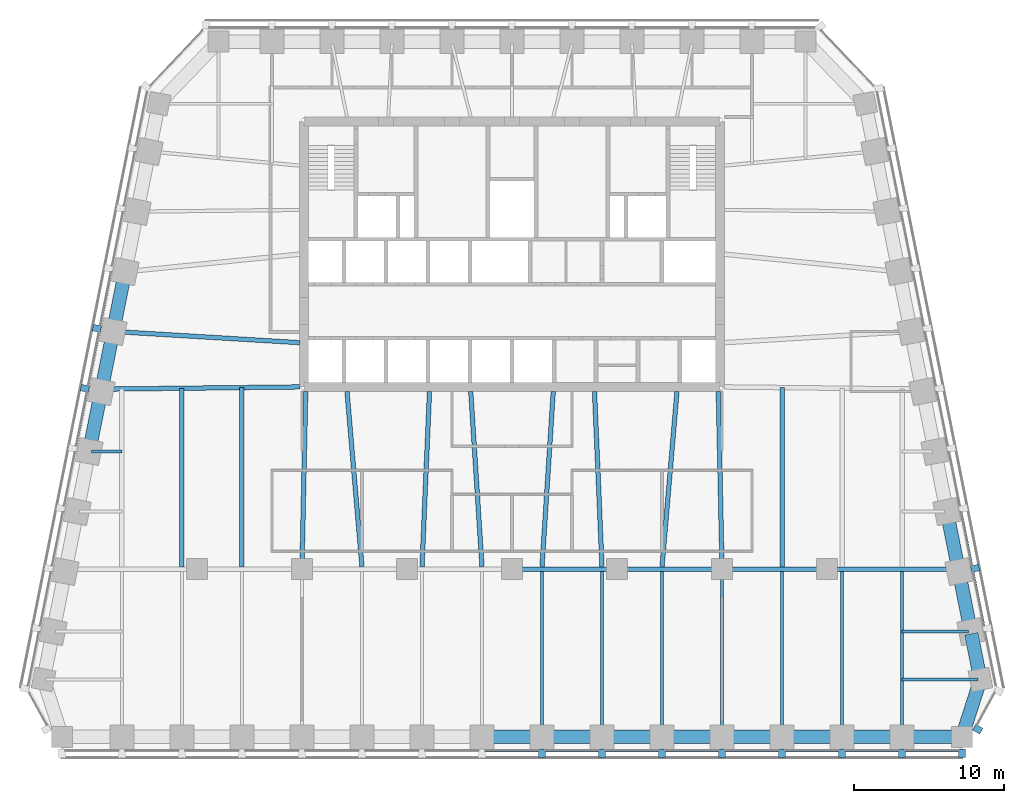
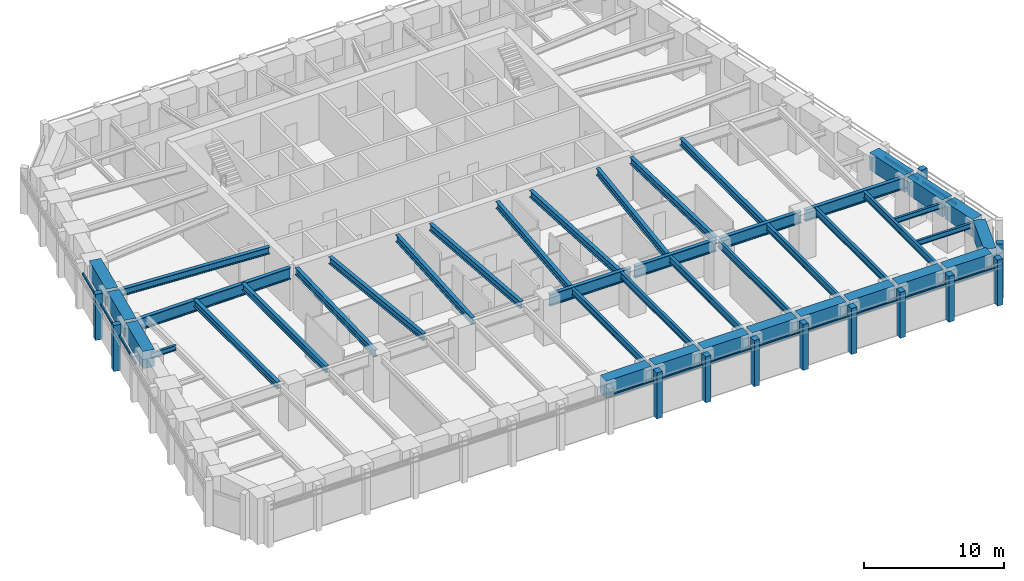
# One storey, part 2 of 10: 42 beams, 25 members, 4 elements without a shape of their own.
"""IFC4 building model written with IfcOpenShell, lengths in metres."""

from ifc_helpers import new_model, si_unit, direction, frame, origin, origin_2d, place, context, subcontext, project, spatial, rectangle, i_section, extrude, material, material_profile, profile_set, type_object, element, aggregate, save


model = new_model("IFC4")

# Units and contexts
model_context = context("Model", 3, precision=1e-05, world=origin(), true_north=direction((0.0, 1.0)))
body_context = subcontext(model_context, "Body", "Model", "MODEL_VIEW")
ifc_project = project(units=[si_unit("LENGTHUNIT", "METRE"), si_unit("AREAUNIT", "SQUARE_METRE"), si_unit("VOLUMEUNIT", "CUBIC_METRE"), si_unit("PLANEANGLEUNIT", "RADIAN"), si_unit("MASSUNIT", "GRAM", prefix="KILO")], contexts=[model_context])

# Site, building, storey
site_placement = place(None, origin())
site = spatial("IfcSite", under=ifc_project, at=site_placement, CompositionType="ELEMENT")
building_placement = place(site_placement, origin())
building = spatial("IfcBuilding", under=site, at=building_placement, Name="Isbrekke Arena Tower", CompositionType="ELEMENT")
storey_placement = place(building_placement, frame((0.0, 0.0, 182.0)))
storey = spatial("IfcBuildingStorey", under=building, at=storey_placement, Name="L41", CompositionType="ELEMENT", Elevation=182.0)

# Beams
ifc_material_1 = material(Name="Steel S355", Category="steel")
ifc_material_profile_1 = material_profile(ifc_material_1, i_section(OverallWidth=0.219970703125, OverallDepth=0.60009765625, WebThickness=0.011962890625, FlangeThickness=0.01904296875, FilletRadius=0.02392578125, at=origin_2d()), Name="IPE 600")
ifc_profile_set_1 = profile_set([ifc_material_profile_1], Name="Steel S355")
beam_type_1 = type_object("IfcBeamType", Name="B1 IPE 600", PredefinedType="BEAM", material=ifc_profile_set_1)
for number, where, z_axis, x_axis, name in (
    (1, (2.0, -17.02490234375, 3.550048828125), (0.0, 1.0, 0.0), (-1.0, 0.0, 0.0), "B1 beam S-S09 L41"),
    (2, (6.0, -17.02490234375, 3.550048828125), (0.0, 1.0, 0.0), (-1.0, 0.0, 0.0), "B1 beam S-S10 L41"),
    (3, (10.0, -17.02490234375, 3.550048828125), (0.0, 1.0, 0.0), (-1.0, 0.0, 0.0), "B1 beam S-S11 L41"),
):
    element("IfcBeam", number, at=place(storey_placement, frame(where, z_axis=z_axis, x_axis=x_axis)), inside=storey, type_object=beam_type_1, Name=name, PredefinedType="BEAM", context=body_context, shape_type="SweptSolid", body=[
        extrude(i_section(OverallWidth=0.219970703125, OverallDepth=0.60009765625, WebThickness=0.011962890625, FlangeThickness=0.01904296875, FilletRadius=0.02392578125, at=origin_2d()), origin(), (0.0, 0.0, 1.0), 10.8740234375),
    ])
beam_1_placement = place(storey_placement, frame((14.0, -17.02490234375, 3.550048828125), z_axis=(0.0, 1.0, 0.0), x_axis=(-1.0, 0.0, 0.0)))
element("IfcBeam", 4, at=beam_1_placement, inside=storey, type_object=beam_type_1, Name="B1 beam S-S12 L41", PredefinedType="BEAM", context=body_context, shape_type="SweptSolid", body=[
    extrude(i_section(OverallWidth=0.219970703125, OverallDepth=0.60009765625, WebThickness=0.011962890625, FlangeThickness=0.01904296875, FilletRadius=0.02392578125, at=origin_2d()), origin(), (0.0, 0.0, 1.0), 10.875),
])
for number, where, z_axis, x_axis, name in (
    (5, (18.0, -17.02490234375, 3.550048828125), (0.0, 1.0, 0.0), (-1.0, 0.0, 0.0), "B1 beam S-S13 L41"),
    (6, (22.0, -17.02490234375, 3.550048828125), (0.0, 1.0, 0.0), (-1.0, 0.0, 0.0), "B1 beam S-S14 L41"),
    (7, (26.0, -17.02490234375, 3.550048828125), (0.0, 1.0, 0.0), (-1.0, 0.0, 0.0), "B1 beam S-S15 L41"),
):
    element("IfcBeam", number, at=place(storey_placement, frame(where, z_axis=z_axis, x_axis=x_axis)), inside=storey, type_object=beam_type_1, Name=name, PredefinedType="BEAM", context=body_context, shape_type="SweptSolid", body=[
        extrude(i_section(OverallWidth=0.219970703125, OverallDepth=0.60009765625, WebThickness=0.011962890625, FlangeThickness=0.01904296875, FilletRadius=0.02392578125, at=origin_2d()), origin(), (0.0, 0.0, 1.0), 10.8740234375),
    ])
ifc_material_2 = material(Name="Steel S355", Category="steel")
ifc_material_profile_2 = material_profile(ifc_material_2, i_section(OverallWidth=0.18994140625, OverallDepth=0.449951171875, WebThickness=0.009521484375, FlangeThickness=0.0146484375, FilletRadius=0.02099609375, at=origin_2d()), Name="IPE 450")
ifc_profile_set_2 = profile_set([ifc_material_profile_2], Name="Steel S355")
beam_type_2 = type_object("IfcBeamType", Name="B2 IPE 450", PredefinedType="BEAM", material=ifc_profile_set_2)
beam_2_placement = place(storey_placement, frame((31.079345703125, -13.352783203125, 3.625), z_axis=(-1.0, 0.0, 0.0), x_axis=(0.0, -1.0, 0.0)))
element("IfcBeam", 8, at=beam_2_placement, inside=storey, type_object=beam_type_2, Name="B2 beam E-E01 L41", PredefinedType="BEAM", context=body_context, shape_type="SweptSolid", body=[
    extrude(i_section(OverallWidth=0.18994140625, OverallDepth=0.449951171875, WebThickness=0.009521484375, FlangeThickness=0.0146484375, FilletRadius=0.02099609375, at=origin_2d()), origin(), (0.0, 0.0, 1.0), 5.079345703125),
])
beam_3_placement = place(storey_placement, frame((30.44091796875, -10.161865234375, 3.625), z_axis=(-1.0, 0.0, 0.0), x_axis=(0.0, -1.0, 0.0)))
element("IfcBeam", 9, at=beam_3_placement, inside=storey, type_object=beam_type_2, Name="B2 beam E-E02 L41", PredefinedType="BEAM", context=body_context, shape_type="SweptSolid", body=[
    extrude(i_section(OverallWidth=0.18994140625, OverallDepth=0.449951171875, WebThickness=0.009521484375, FlangeThickness=0.0146484375, FilletRadius=0.02099609375, at=origin_2d()), origin(), (0.0, 0.0, 1.0), 4.44091796875),
])
beam_4_placement = place(storey_placement, frame((-28.041015625, 1.838134765625, 3.625), z_axis=(1.0, 0.0, 0.0), x_axis=(0.0, 1.0, 0.0)))
element("IfcBeam", 10, at=beam_4_placement, inside=storey, type_object=beam_type_2, Name="B2 beam E-W07 L41", PredefinedType="BEAM", context=body_context, shape_type="SweptSolid", body=[
    extrude(i_section(OverallWidth=0.18994140625, OverallDepth=0.449951171875, WebThickness=0.009521484375, FlangeThickness=0.0146484375, FilletRadius=0.02099609375, at=origin_2d()), origin(), (0.0, 0.0, 1.0), 2.041015625),
])
ifc_material_3 = material(Name="Steel S355", Category="steel")
ifc_material_profile_3 = material_profile(ifc_material_3, i_section(OverallWidth=0.300048828125, OverallDepth=0.60009765625, WebThickness=0.015380859375, FlangeThickness=0.030029296875, FilletRadius=0.027099609375, at=origin_2d()), Name="HEB 600")
ifc_profile_set_3 = profile_set([ifc_material_profile_3], Name="Steel S355")
beam_type_3 = type_object("IfcBeamType", Name="B7 HEB 600", PredefinedType="BEAM", material=ifc_profile_set_3)
beam_5_placement = place(storey_placement, frame((-22.0, -5.84912109375, 3.550048828125), z_axis=(0.0, 1.0, 0.0), x_axis=(-1.0, 0.0, 0.0)))
element("IfcBeam", 11, at=beam_5_placement, inside=storey, type_object=beam_type_3, Name="B7 beam C-M02 L41", PredefinedType="BEAM", context=body_context, shape_type="SweptSolid", body=[
    extrude(i_section(OverallWidth=0.300048828125, OverallDepth=0.60009765625, WebThickness=0.015380859375, FlangeThickness=0.030029296875, FilletRadius=0.027099609375, at=origin_2d()), origin(), (0.0, 0.0, 1.0), 11.91015625),
])
beam_6_placement = place(storey_placement, frame((-18.0, -5.84912109375, 3.550048828125), z_axis=(0.0, 1.0, 0.0), x_axis=(-1.0, 0.0, 0.0)))
element("IfcBeam", 12, at=beam_6_placement, inside=storey, type_object=beam_type_3, Name="B7 beam C-M03 L41", PredefinedType="BEAM", context=body_context, shape_type="SweptSolid", body=[
    extrude(i_section(OverallWidth=0.300048828125, OverallDepth=0.60009765625, WebThickness=0.015380859375, FlangeThickness=0.030029296875, FilletRadius=0.027099609375, at=origin_2d()), origin(), (0.0, 0.0, 1.0), 11.95556640625),
])
beam_7_placement = place(storey_placement, frame((-14.0, -5.8466796875, 3.550048828125), z_axis=(0.021368528218, 0.999771666933, 0.0), x_axis=(-0.999771666933, 0.021368528218, 0.0)))
element("IfcBeam", 13, at=beam_7_placement, inside=storey, type_object=beam_type_3, Name="B7 beam C-M04 L41", PredefinedType="BEAM", context=body_context, shape_type="SweptSolid", body=[
    extrude(i_section(OverallWidth=0.300048828125, OverallDepth=0.60009765625, WebThickness=0.015380859375, FlangeThickness=0.030029296875, FilletRadius=0.027099609375, at=origin_2d()), origin(), (0.0, 0.0, 1.0), 11.699462890625),
])
beam_8_placement = place(storey_placement, frame((-10.0009765625, -5.836181640625, 3.550048828125), z_axis=(-0.085176202372, 0.996365903948, 0.0), x_axis=(-0.996365903948, -0.085176202372, 0.0)))
element("IfcBeam", 14, at=beam_8_placement, inside=storey, type_object=beam_type_3, Name="B7 beam C-M05 L41", PredefinedType="BEAM", context=body_context, shape_type="SweptSolid", body=[
    extrude(i_section(OverallWidth=0.300048828125, OverallDepth=0.60009765625, WebThickness=0.015380859375, FlangeThickness=0.030029296875, FilletRadius=0.027099609375, at=origin_2d()), origin(), (0.0, 0.0, 1.0), 11.72900390625),
])
beam_9_placement = place(storey_placement, frame((-5.999755859375, -5.842529296875, 3.550048828125), z_axis=(0.042702124015, 0.999087848292, 0.0), x_axis=(-0.999087848292, 0.042702124015, 0.0)))
element("IfcBeam", 15, at=beam_9_placement, inside=storey, type_object=beam_type_3, Name="B7 beam C-M06 L41", PredefinedType="BEAM", context=body_context, shape_type="SweptSolid", body=[
    extrude(i_section(OverallWidth=0.300048828125, OverallDepth=0.60009765625, WebThickness=0.015380859375, FlangeThickness=0.030029296875, FilletRadius=0.027099609375, at=origin_2d()), origin(), (0.0, 0.0, 1.0), 11.703369140625),
])
for number, where, z_axis, x_axis, name in (
    (16, (-2.000732421875, -5.83935546875, 3.550048828125), (-0.063966475255, 0.997952047968, 0.0), (-0.997952047968, -0.063966475255, 0.0), "B7 beam C-M07 L41"),
    (17, (2.000732421875, -5.83935546875, 3.550048828125), (0.063966475255, 0.997952047968, 0.0), (-0.997952047968, 0.063966475255, 0.0), "B7 beam C-M08 L41"),
):
    element("IfcBeam", number, at=place(storey_placement, frame(where, z_axis=z_axis, x_axis=x_axis)), inside=storey, type_object=beam_type_3, Name=name, PredefinedType="BEAM", context=body_context, shape_type="SweptSolid", body=[
        extrude(i_section(OverallWidth=0.300048828125, OverallDepth=0.60009765625, WebThickness=0.015380859375, FlangeThickness=0.030029296875, FilletRadius=0.027099609375, at=origin_2d()), origin(), (0.0, 0.0, 1.0), 11.71337890625),
    ])
beam_10_placement = place(storey_placement, frame((5.999755859375, -5.842529296875, 3.550048828125), z_axis=(-0.042702124015, 0.999087848292, 0.0), x_axis=(-0.999087848292, -0.042702124015, 0.0)))
element("IfcBeam", 18, at=beam_10_placement, inside=storey, type_object=beam_type_3, Name="B7 beam C-M09 L41", PredefinedType="BEAM", context=body_context, shape_type="SweptSolid", body=[
    extrude(i_section(OverallWidth=0.300048828125, OverallDepth=0.60009765625, WebThickness=0.015380859375, FlangeThickness=0.030029296875, FilletRadius=0.027099609375, at=origin_2d()), origin(), (0.0, 0.0, 1.0), 11.703369140625),
])
beam_11_placement = place(storey_placement, frame((10.0009765625, -5.836181640625, 3.550048828125), z_axis=(0.085176202372, 0.996365903948, 0.0), x_axis=(-0.996365903948, 0.085176202372, 0.0)))
element("IfcBeam", 19, at=beam_11_placement, inside=storey, type_object=beam_type_3, Name="B7 beam C-M10 L41", PredefinedType="BEAM", context=body_context, shape_type="SweptSolid", body=[
    extrude(i_section(OverallWidth=0.300048828125, OverallDepth=0.60009765625, WebThickness=0.015380859375, FlangeThickness=0.030029296875, FilletRadius=0.027099609375, at=origin_2d()), origin(), (0.0, 0.0, 1.0), 11.72900390625),
])
beam_12_placement = place(storey_placement, frame((14.0, -5.8466796875, 3.550048828125), z_axis=(-0.021368528218, 0.999771666933, 0.0), x_axis=(-0.999771666933, -0.021368528218, 0.0)))
element("IfcBeam", 20, at=beam_12_placement, inside=storey, type_object=beam_type_3, Name="B7 beam C-M11 L41", PredefinedType="BEAM", context=body_context, shape_type="SweptSolid", body=[
    extrude(i_section(OverallWidth=0.300048828125, OverallDepth=0.60009765625, WebThickness=0.015380859375, FlangeThickness=0.030029296875, FilletRadius=0.027099609375, at=origin_2d()), origin(), (0.0, 0.0, 1.0), 11.699462890625),
])
beam_13_placement = place(storey_placement, frame((18.0, -5.84912109375, 3.550048828125), z_axis=(0.0, 1.0, 0.0), x_axis=(-1.0, 0.0, 0.0)))
element("IfcBeam", 21, at=beam_13_placement, inside=storey, type_object=beam_type_3, Name="B7 beam C-M12 L41", PredefinedType="BEAM", context=body_context, shape_type="SweptSolid", body=[
    extrude(i_section(OverallWidth=0.300048828125, OverallDepth=0.60009765625, WebThickness=0.015380859375, FlangeThickness=0.030029296875, FilletRadius=0.027099609375, at=origin_2d()), origin(), (0.0, 0.0, 1.0), 11.95556640625),
])
beam_14_placement = place(storey_placement, frame((-26.43212890625, 9.837646484375, 3.550048828125), z_axis=(0.998201854902, -0.059942112659, 0.0), x_axis=(0.059942112659, 0.998201854902, 0.0)))
element("IfcBeam", 22, at=beam_14_placement, inside=storey, type_object=beam_type_3, Name="B7 beam E-W05 L41", PredefinedType="BEAM", context=body_context, shape_type="SweptSolid", body=[
    extrude(i_section(OverallWidth=0.300048828125, OverallDepth=0.60009765625, WebThickness=0.015380859375, FlangeThickness=0.030029296875, FilletRadius=0.027099609375, at=origin_2d()), origin(), (0.0, 0.0, 1.0), 12.304443359375),
])

# Curtain wall, members
ifc_material_4 = material(Name="Glazed aluminium curtain wall", Category="aluminium")
curtain_wall_type = type_object("IfcCurtainWallType", Name="CWH TOWER CURTAIN WALL HIGH ZONE", PredefinedType="USERDEFINED", material=ifc_material_4)
curtain_wall_1_placement = place(storey_placement, origin())
curtain_wall_1 = element("IfcCurtainWall", 23, at=curtain_wall_1_placement, inside=storey, type_object=curtain_wall_type, Name="CWH curtain wall L41-S", ObjectType="TOWER CURTAIN WALL HIGH ZONE", PredefinedType="USERDEFINED")
ifc_material_5 = material(Name="Aluminium mullion, pale brick slip cladding", Category="masonry")
ifc_material_profile_4 = material_profile(ifc_material_5, rectangle(XDim=0.449951171875, YDim=0.550048828125, at=origin_2d()), Name="PIER 450X550")
ifc_profile_set_4 = profile_set([ifc_material_profile_4], Name="Aluminium mullion, pale brick slip cladding")
member_type_1 = type_object("IfcMemberType", Name="CWH-M PIER MULLION 450 x 550", PredefinedType="MULLION", material=ifc_profile_set_4)
member_1_placement = place(storey_placement, frame((2.0, -18.27490234375, 0.0), z_axis=(0.0, 0.0, 1.0), x_axis=(1.0, 0.0, 0.0)))
member_1 = element("IfcMember", 24, at=member_1_placement, type_object=member_type_1, Name="CWH-M mullion 9", PredefinedType="MULLION", context=body_context, shape_type="SweptSolid", body=[
    extrude(rectangle(XDim=0.449951171875, YDim=0.550048828125, at=origin_2d()), origin(), (0.0, 0.0, 1.0), 4.0),
])
member_2_placement = place(storey_placement, frame((6.0, -18.27490234375, 0.0), z_axis=(0.0, 0.0, 1.0), x_axis=(1.0, 0.0, 0.0)))
member_2 = element("IfcMember", 25, at=member_2_placement, type_object=member_type_1, Name="CWH-M mullion 10", PredefinedType="MULLION", context=body_context, shape_type="SweptSolid", body=[
    extrude(rectangle(XDim=0.449951171875, YDim=0.550048828125, at=origin_2d()), origin(), (0.0, 0.0, 1.0), 4.0),
])
member_3_placement = place(storey_placement, frame((10.0, -18.27490234375, 0.0), z_axis=(0.0, 0.0, 1.0), x_axis=(1.0, 0.0, 0.0)))
member_3 = element("IfcMember", 26, at=member_3_placement, type_object=member_type_1, Name="CWH-M mullion 11", PredefinedType="MULLION", context=body_context, shape_type="SweptSolid", body=[
    extrude(rectangle(XDim=0.449951171875, YDim=0.550048828125, at=origin_2d()), origin(), (0.0, 0.0, 1.0), 4.0),
])
member_4_placement = place(storey_placement, frame((14.0, -18.27490234375, 0.0), z_axis=(0.0, 0.0, 1.0), x_axis=(1.0, 0.0, 0.0)))
member_4 = element("IfcMember", 27, at=member_4_placement, type_object=member_type_1, Name="CWH-M mullion 12", PredefinedType="MULLION", context=body_context, shape_type="SweptSolid", body=[
    extrude(rectangle(XDim=0.449951171875, YDim=0.550048828125, at=origin_2d()), origin(), (0.0, 0.0, 1.0), 4.0),
])
member_5_placement = place(storey_placement, frame((18.0, -18.27490234375, 0.0), z_axis=(0.0, 0.0, 1.0), x_axis=(1.0, 0.0, 0.0)))
member_5 = element("IfcMember", 28, at=member_5_placement, type_object=member_type_1, Name="CWH-M mullion 13", PredefinedType="MULLION", context=body_context, shape_type="SweptSolid", body=[
    extrude(rectangle(XDim=0.449951171875, YDim=0.550048828125, at=origin_2d()), origin(), (0.0, 0.0, 1.0), 4.0),
])
member_6_placement = place(storey_placement, frame((22.0, -18.27490234375, 0.0), z_axis=(0.0, 0.0, 1.0), x_axis=(1.0, 0.0, 0.0)))
member_6 = element("IfcMember", 29, at=member_6_placement, type_object=member_type_1, Name="CWH-M mullion 14", PredefinedType="MULLION", context=body_context, shape_type="SweptSolid", body=[
    extrude(rectangle(XDim=0.449951171875, YDim=0.550048828125, at=origin_2d()), origin(), (0.0, 0.0, 1.0), 4.0),
])
member_7_placement = place(storey_placement, frame((26.0, -18.27490234375, 0.0), z_axis=(0.0, 0.0, 1.0), x_axis=(1.0, 0.0, 0.0)))
member_7 = element("IfcMember", 30, at=member_7_placement, type_object=member_type_1, Name="CWH-M mullion 15", PredefinedType="MULLION", context=body_context, shape_type="SweptSolid", body=[
    extrude(rectangle(XDim=0.449951171875, YDim=0.550048828125, at=origin_2d()), origin(), (0.0, 0.0, 1.0), 4.0),
])
member_8_placement = place(storey_placement, frame((30.0, -18.27490234375, 0.0), z_axis=(0.0, 0.0, 1.0), x_axis=(1.0, 0.0, 0.0)))
member_8 = element("IfcMember", 31, at=member_8_placement, type_object=member_type_1, Name="CWH-M mullion 16", PredefinedType="MULLION", context=body_context, shape_type="SweptSolid", body=[
    extrude(rectangle(XDim=0.449951171875, YDim=0.550048828125, at=origin_2d()), origin(), (0.0, 0.0, 1.0), 4.0),
])

# Curtain wall, member
curtain_wall_2_placement = place(storey_placement, origin())
curtain_wall_2 = element("IfcCurtainWall", 32, at=curtain_wall_2_placement, inside=storey, type_object=curtain_wall_type, Name="CWH curtain wall L41-SE", ObjectType="TOWER CURTAIN WALL HIGH ZONE", PredefinedType="USERDEFINED")
member_9_placement = place(storey_placement, frame((31.047119140625, -16.666748046875, 0.0), z_axis=(0.0, 0.0, 1.0), x_axis=(0.481918749773, 0.876215908676, 0.0)))
member_9 = element("IfcMember", 33, at=member_9_placement, type_object=member_type_1, Name="CWH-M mullion 1", PredefinedType="MULLION", context=body_context, shape_type="SweptSolid", body=[
    extrude(rectangle(XDim=0.449951171875, YDim=0.550048828125, at=origin_2d()), origin(), (0.0, 0.0, 1.0), 4.0),
])
aggregate(curtain_wall_2, [member_9])

curtain_wall_3_placement = place(storey_placement, origin())
curtain_wall_3 = element("IfcCurtainWall", 34, at=curtain_wall_3_placement, inside=storey, type_object=curtain_wall_type, Name="CWH curtain wall L41-E", ObjectType="TOWER CURTAIN WALL HIGH ZONE", PredefinedType="USERDEFINED")
member_10_placement = place(storey_placement, frame((30.86962890625, -5.946044921875, 0.0), z_axis=(0.0, 0.0, 1.0), x_axis=(-0.196116135138, 0.980580675691, 0.0)))
member_10 = element("IfcMember", 35, at=member_10_placement, type_object=member_type_1, Name="CWH-M mullion 2", PredefinedType="MULLION", context=body_context, shape_type="SweptSolid", body=[
    extrude(rectangle(XDim=0.449951171875, YDim=0.550048828125, at=origin_2d()), origin(), (0.0, 0.0, 1.0), 4.0),
])

# Curtain wall, members
curtain_wall_4_placement = place(storey_placement, origin())
curtain_wall_4 = element("IfcCurtainWall", 36, at=curtain_wall_4_placement, inside=storey, type_object=curtain_wall_type, Name="CWH curtain wall L41-W", ObjectType="TOWER CURTAIN WALL HIGH ZONE", PredefinedType="USERDEFINED")
member_11_placement = place(storey_placement, frame((-27.669677734375, 10.053955078125, 0.0), z_axis=(0.0, 0.0, 1.0), x_axis=(-0.196116135138, -0.980580675691, 0.0)))
member_11 = element("IfcMember", 37, at=member_11_placement, type_object=member_type_1, Name="CWH-M mullion 4", PredefinedType="MULLION", context=body_context, shape_type="SweptSolid", body=[
    extrude(rectangle(XDim=0.449951171875, YDim=0.550048828125, at=origin_2d()), origin(), (0.0, 0.0, 1.0), 4.0),
])
member_12_placement = place(storey_placement, frame((-28.4697265625, 6.053955078125, 0.0), z_axis=(0.0, 0.0, 1.0), x_axis=(-0.196116135138, -0.980580675691, 0.0)))
member_12 = element("IfcMember", 38, at=member_12_placement, type_object=member_type_1, Name="CWH-M mullion 5", PredefinedType="MULLION", context=body_context, shape_type="SweptSolid", body=[
    extrude(rectangle(XDim=0.449951171875, YDim=0.550048828125, at=origin_2d()), origin(), (0.0, 0.0, 1.0), 4.0),
])

# Member
ifc_material_6 = material(Name="Aluminium transom", Category="aluminium")
ifc_material_profile_5 = material_profile(ifc_material_6, rectangle(XDim=0.1201171875, YDim=0.199951171875, at=origin_2d()), Name="TRANSOM 120X200")
ifc_profile_set_5 = profile_set([ifc_material_profile_5], Name="Aluminium transom")
member_type_2 = type_object("IfcMemberType", Name="CWH-T TRANSOM 120 x 200", PredefinedType="USERDEFINED", material=ifc_profile_set_5)
member_13_placement = place(storey_placement, frame((-1.77490234375, -18.10009765625, 3.0), z_axis=(1.0, 0.0, 0.0), x_axis=(0.0, 1.0, 0.0)))
member_13 = element("IfcMember", 39, at=member_13_placement, type_object=member_type_2, Name="CWH-T transom 8", ObjectType="TRANSOM", PredefinedType="USERDEFINED", context=body_context, shape_type="SweptSolid", body=[
    extrude(rectangle(XDim=0.1201171875, YDim=0.199951171875, at=origin_2d()), origin(), (0.0, 0.0, 1.0), 3.5498046875),
])

member_14_placement = place(storey_placement, frame((2.22509765625, -18.10009765625, 3.0), z_axis=(1.0, 0.0, 0.0), x_axis=(0.0, 1.0, 0.0)))
member_14 = element("IfcMember", 40, at=member_14_placement, type_object=member_type_2, Name="CWH-T transom 9", ObjectType="TRANSOM", PredefinedType="USERDEFINED", context=body_context, shape_type="SweptSolid", body=[
    extrude(rectangle(XDim=0.1201171875, YDim=0.199951171875, at=origin_2d()), origin(), (0.0, 0.0, 1.0), 3.5498046875),
])

member_15_placement = place(storey_placement, frame((6.22509765625, -18.10009765625, 3.0), z_axis=(1.0, 0.0, 0.0), x_axis=(0.0, 1.0, 0.0)))
member_15 = element("IfcMember", 41, at=member_15_placement, type_object=member_type_2, Name="CWH-T transom 10", ObjectType="TRANSOM", PredefinedType="USERDEFINED", context=body_context, shape_type="SweptSolid", body=[
    extrude(rectangle(XDim=0.1201171875, YDim=0.199951171875, at=origin_2d()), origin(), (0.0, 0.0, 1.0), 3.5498046875),
])

member_16_placement = place(storey_placement, frame((10.22509765625, -18.10009765625, 3.0), z_axis=(1.0, 0.0, 0.0), x_axis=(0.0, 1.0, 0.0)))
member_16 = element("IfcMember", 42, at=member_16_placement, type_object=member_type_2, Name="CWH-T transom 11", ObjectType="TRANSOM", PredefinedType="USERDEFINED", context=body_context, shape_type="SweptSolid", body=[
    extrude(rectangle(XDim=0.1201171875, YDim=0.199951171875, at=origin_2d()), origin(), (0.0, 0.0, 1.0), 3.5498046875),
])

member_17_placement = place(storey_placement, frame((14.22509765625, -18.10009765625, 3.0), z_axis=(1.0, 0.0, 0.0), x_axis=(0.0, 1.0, 0.0)))
member_17 = element("IfcMember", 43, at=member_17_placement, type_object=member_type_2, Name="CWH-T transom 12", ObjectType="TRANSOM", PredefinedType="USERDEFINED", context=body_context, shape_type="SweptSolid", body=[
    extrude(rectangle(XDim=0.1201171875, YDim=0.199951171875, at=origin_2d()), origin(), (0.0, 0.0, 1.0), 3.5498046875),
])

member_18_placement = place(storey_placement, frame((18.22509765625, -18.10009765625, 3.0), z_axis=(1.0, 0.0, 0.0), x_axis=(0.0, 1.0, 0.0)))
member_18 = element("IfcMember", 44, at=member_18_placement, type_object=member_type_2, Name="CWH-T transom 13", ObjectType="TRANSOM", PredefinedType="USERDEFINED", context=body_context, shape_type="SweptSolid", body=[
    extrude(rectangle(XDim=0.1201171875, YDim=0.199951171875, at=origin_2d()), origin(), (0.0, 0.0, 1.0), 3.5498046875),
])

member_19_placement = place(storey_placement, frame((22.22509765625, -18.10009765625, 3.0), z_axis=(1.0, 0.0, 0.0), x_axis=(0.0, 1.0, 0.0)))
member_19 = element("IfcMember", 45, at=member_19_placement, type_object=member_type_2, Name="CWH-T transom 14", ObjectType="TRANSOM", PredefinedType="USERDEFINED", context=body_context, shape_type="SweptSolid", body=[
    extrude(rectangle(XDim=0.1201171875, YDim=0.199951171875, at=origin_2d()), origin(), (0.0, 0.0, 1.0), 3.5498046875),
])

member_20_placement = place(storey_placement, frame((26.22509765625, -18.10009765625, 3.0), z_axis=(1.0, 0.0, 0.0), x_axis=(0.0, 1.0, 0.0)))
member_20 = element("IfcMember", 46, at=member_20_placement, type_object=member_type_2, Name="CWH-T transom 15", ObjectType="TRANSOM", PredefinedType="USERDEFINED", context=body_context, shape_type="SweptSolid", body=[
    extrude(rectangle(XDim=0.1201171875, YDim=0.199951171875, at=origin_2d()), origin(), (0.0, 0.0, 1.0), 3.5498046875),
])

aggregate(curtain_wall_1, [member_1, member_2, member_3, member_4, member_5, member_6, member_7, member_8, member_13, member_14, member_15, member_16, member_17, member_18, member_19, member_20])

member_21_placement = place(storey_placement, frame((31.453857421875, -9.759765625, 3.0), z_axis=(-0.196090262229, 0.980585849918, 0.0), x_axis=(-0.980585849918, -0.196090262229, 0.0)))
member_21 = element("IfcMember", 47, at=member_21_placement, type_object=member_type_2, Name="CWH-T transom 2", ObjectType="TRANSOM", PredefinedType="USERDEFINED", context=body_context, shape_type="SweptSolid", body=[
    extrude(rectangle(XDim=0.1201171875, YDim=0.199951171875, at=origin_2d()), origin(), (0.0, 0.0, 1.0), 3.62939453125),
])

member_22_placement = place(storey_placement, frame((30.654052734375, -5.759765625, 3.0), z_axis=(-0.196154943734, 0.980572913173, 0.0), x_axis=(-0.980572913173, -0.196154943734, 0.0)))
member_22 = element("IfcMember", 48, at=member_22_placement, type_object=member_type_2, Name="CWH-T transom 3", ObjectType="TRANSOM", PredefinedType="USERDEFINED", context=body_context, shape_type="SweptSolid", body=[
    extrude(rectangle(XDim=0.1201171875, YDim=0.199951171875, at=origin_2d()), origin(), (0.0, 0.0, 1.0), 3.62939453125),
])

aggregate(curtain_wall_3, [member_10, member_21, member_22])

member_23_placement = place(storey_placement, frame((-26.7421875, 13.799072265625, 3.0), z_axis=(-0.196090262229, -0.980585849918, 0.0), x_axis=(0.980585849918, -0.196090262229, 0.0)))
member_23 = element("IfcMember", 49, at=member_23_placement, type_object=member_type_2, Name="CWH-T transom 4", ObjectType="TRANSOM", PredefinedType="USERDEFINED", context=body_context, shape_type="SweptSolid", body=[
    extrude(rectangle(XDim=0.1201171875, YDim=0.199951171875, at=origin_2d()), origin(), (0.0, 0.0, 1.0), 3.62939453125),
])

member_24_placement = place(storey_placement, frame((-27.542236328125, 9.799072265625, 3.0), z_axis=(-0.196090262229, -0.980585849918, 0.0), x_axis=(0.980585849918, -0.196090262229, 0.0)))
member_24 = element("IfcMember", 50, at=member_24_placement, type_object=member_type_2, Name="CWH-T transom 5", ObjectType="TRANSOM", PredefinedType="USERDEFINED", context=body_context, shape_type="SweptSolid", body=[
    extrude(rectangle(XDim=0.1201171875, YDim=0.199951171875, at=origin_2d()), origin(), (0.0, 0.0, 1.0), 3.62939453125),
])

member_25_placement = place(storey_placement, frame((-28.34228515625, 5.799072265625, 3.0), z_axis=(-0.196090262229, -0.980585849918, 0.0), x_axis=(0.980585849918, -0.196090262229, 0.0)))
member_25 = element("IfcMember", 51, at=member_25_placement, type_object=member_type_2, Name="CWH-T transom 6", ObjectType="TRANSOM", PredefinedType="USERDEFINED", context=body_context, shape_type="SweptSolid", body=[
    extrude(rectangle(XDim=0.1201171875, YDim=0.199951171875, at=origin_2d()), origin(), (0.0, 0.0, 1.0), 3.62939453125),
])

aggregate(curtain_wall_4, [member_11, member_12, member_23, member_24, member_25])

# Beams
ifc_material_7 = material(Name="Steel S355", Category="steel")
ifc_material_profile_6 = material_profile(ifc_material_7, i_section(OverallWidth=0.302001953125, OverallDepth=1.008056640625, WebThickness=0.02099609375, FlangeThickness=0.0400390625, FilletRadius=0.030029296875, at=origin_2d()), Name="HEM 1000")
ifc_profile_set_6 = profile_set([ifc_material_profile_6], Name="Steel S355")
beam_type_4 = type_object("IfcBeamType", Name="G1 HEM 1000", PredefinedType="BEAM", material=ifc_profile_set_6)
for number, where, z_axis, x_axis, name in (
    (52, (0.14990234375, -6.0, 3.345947265625), (1.0, 0.0, 0.0), (0.0, 1.0, 0.0), "G1 beam G1-05 L41"),
    (53, (7.14990234375, -6.0, 3.345947265625), (1.0, 0.0, 0.0), (0.0, 1.0, 0.0), "G1 beam G1-06 L41"),
    (54, (14.14990234375, -6.0, 3.345947265625), (1.0, 0.0, 0.0), (0.0, 1.0, 0.0), "G1 beam G1-07 L41"),
):
    element("IfcBeam", number, at=place(storey_placement, frame(where, z_axis=z_axis, x_axis=x_axis)), inside=storey, type_object=beam_type_4, Name=name, PredefinedType="BEAM", context=body_context, shape_type="SweptSolid", body=[
        extrude(i_section(OverallWidth=0.302001953125, OverallDepth=1.008056640625, WebThickness=0.02099609375, FlangeThickness=0.0400390625, FilletRadius=0.030029296875, at=origin_2d()), origin(), (0.0, 0.0, 1.0), 6.7001953125),
    ])
beam_15_placement = place(storey_placement, frame((21.14990234375, -6.0, 3.345947265625), z_axis=(1.0, 0.0, 0.0), x_axis=(0.0, 1.0, 0.0)))
element("IfcBeam", 55, at=beam_15_placement, inside=storey, type_object=beam_type_4, Name="G1 beam G1-08 L41", PredefinedType="BEAM", context=body_context, shape_type="SweptSolid", body=[
    extrude(i_section(OverallWidth=0.302001953125, OverallDepth=1.008056640625, WebThickness=0.02099609375, FlangeThickness=0.0400390625, FilletRadius=0.030029296875, at=origin_2d()), origin(), (0.0, 0.0, 1.0), 8.64111328125),
])
ifc_material_8 = material(Name="Steel S355", Category="steel")
ifc_material_profile_7 = material_profile(ifc_material_8, i_section(OverallWidth=0.302001953125, OverallDepth=1.008056640625, WebThickness=0.02099609375, FlangeThickness=0.0400390625, FilletRadius=0.030029296875, at=origin_2d()), Name="HEM 1000")
ifc_profile_set_7 = profile_set([ifc_material_profile_7], Name="Steel S355")
beam_type_5 = type_object("IfcBeamType", Name="G2 HEM 1000", PredefinedType="BEAM", material=ifc_profile_set_7)
beam_16_placement = place(storey_placement, frame((-14.14990234375, 6.14990234375, 3.345947265625), z_axis=(-0.999935908299, -0.011321629528, 0.0), x_axis=(0.011321629528, -0.999935908299, 0.0)))
element("IfcBeam", 56, at=beam_16_placement, inside=storey, type_object=beam_type_5, Name="G2 beam G2-W L41", PredefinedType="BEAM", context=body_context, shape_type="SweptSolid", body=[
    extrude(i_section(OverallWidth=0.302001953125, OverallDepth=1.008056640625, WebThickness=0.02099609375, FlangeThickness=0.0400390625, FilletRadius=0.030029296875, at=origin_2d()), origin(), (0.0, 0.0, 1.0), 13.240234375),
])
ifc_material_9 = material(Name="Concrete B65 (C65/80)", Category="concrete")
ifc_material_profile_8 = material_profile(ifc_material_9, rectangle(XDim=0.89990234375, YDim=1.5, at=origin_2d()), Name="RC 900x1500")
ifc_profile_set_8 = profile_set([ifc_material_profile_8], Name="Concrete B65 (C65/80)")
beam_type_6 = type_object("IfcBeamType", Name="SB3 RC 900 x 1500", PredefinedType="SPANDREL", material=ifc_profile_set_8)
for number, where, z_axis, x_axis, name in (
    (57, (-1.85009765625, -17.175048828125, 3.25), (1.0, 0.0, 0.0), (0.0, 1.0, 0.0), "SB3 spandrel S08-S09 L41"),
    (58, (2.14990234375, -17.175048828125, 3.25), (1.0, 0.0, 0.0), (0.0, 1.0, 0.0), "SB3 spandrel S09-S10 L41"),
    (59, (6.14990234375, -17.175048828125, 3.25), (1.0, 0.0, 0.0), (0.0, 1.0, 0.0), "SB3 spandrel S10-S11 L41"),
    (60, (10.14990234375, -17.175048828125, 3.25), (1.0, 0.0, 0.0), (0.0, 1.0, 0.0), "SB3 spandrel S11-S12 L41"),
    (61, (14.14990234375, -17.175048828125, 3.25), (1.0, 0.0, 0.0), (0.0, 1.0, 0.0), "SB3 spandrel S12-S13 L41"),
    (62, (18.14990234375, -17.175048828125, 3.25), (1.0, 0.0, 0.0), (0.0, 1.0, 0.0), "SB3 spandrel S13-S14 L41"),
    (63, (22.14990234375, -17.175048828125, 3.25), (1.0, 0.0, 0.0), (0.0, 1.0, 0.0), "SB3 spandrel S14-S15 L41"),
    (64, (26.14990234375, -17.175048828125, 3.25), (1.0, 0.0, 0.0), (0.0, 1.0, 0.0), "SB3 spandrel S15-S16 L41"),
):
    element("IfcBeam", number, at=place(storey_placement, frame(where, z_axis=z_axis, x_axis=x_axis)), inside=storey, type_object=beam_type_6, Name=name, PredefinedType="SPANDREL", context=body_context, shape_type="SweptSolid", body=[
        extrude(rectangle(XDim=0.89990234375, YDim=1.5, at=origin_2d()), origin(), (0.0, 0.0, 1.0), 3.7001953125),
    ])
beam_17_placement = place(storey_placement, frame((30.0458984375, -17.0322265625, 3.25), z_axis=(0.306175101476, 0.951975213562, 0.0), x_axis=(-0.951975213562, 0.306175101476, 0.0)))
element("IfcBeam", 65, at=beam_17_placement, inside=storey, type_object=beam_type_6, Name="SB3 spandrel S16-E01 L41", PredefinedType="SPANDREL", context=body_context, shape_type="SweptSolid", body=[
    extrude(rectangle(XDim=0.89990234375, YDim=1.5, at=origin_2d()), origin(), (0.0, 0.0, 1.0), 3.715087890625),
])
beam_18_placement = place(storey_placement, frame((31.19970703125, -13.205810546875, 3.25), z_axis=(-0.196100243168, 0.980583853951, 0.0), x_axis=(-0.980583853951, -0.196100243168, 0.0)))
element("IfcBeam", 66, at=beam_18_placement, inside=storey, type_object=beam_type_6, Name="SB3 spandrel E01-E02 L41", PredefinedType="SPANDREL", context=body_context, shape_type="SweptSolid", body=[
    extrude(rectangle(XDim=0.89990234375, YDim=1.5, at=origin_2d()), origin(), (0.0, 0.0, 1.0), 2.954345703125),
])
beam_19_placement = place(storey_placement, frame((30.5615234375, -10.0146484375, 3.25), z_axis=(-0.1960664412, 0.980590613169, 0.0), x_axis=(-0.980590613169, -0.1960664412, 0.0)))
element("IfcBeam", 67, at=beam_19_placement, inside=storey, type_object=beam_type_6, Name="SB3 spandrel E02-E03 L41", PredefinedType="SPANDREL", context=body_context, shape_type="SweptSolid", body=[
    extrude(rectangle(XDim=0.89990234375, YDim=1.5, at=origin_2d()), origin(), (0.0, 0.0, 1.0), 3.779052734375),
])
beam_20_placement = place(storey_placement, frame((29.76171875, -6.0146484375, 3.25), z_axis=(-0.196128558387, 0.980578190959, 0.0), x_axis=(-0.980578190959, -0.196128558387, 0.0)))
element("IfcBeam", 68, at=beam_20_placement, inside=storey, type_object=beam_type_6, Name="SB3 spandrel E03-E04 L41", PredefinedType="SPANDREL", context=body_context, shape_type="SweptSolid", body=[
    extrude(rectangle(XDim=0.89990234375, YDim=1.5, at=origin_2d()), origin(), (0.0, 0.0, 1.0), 3.779296875),
])
beam_21_placement = place(storey_placement, frame((-25.820556640625, 13.691162109375, 3.25), z_axis=(-0.1960664412, -0.980590613169, 0.0), x_axis=(0.980590613169, -0.1960664412, 0.0)))
element("IfcBeam", 69, at=beam_21_placement, inside=storey, type_object=beam_type_6, Name="SB3 spandrel W04-W05 L41", PredefinedType="SPANDREL", context=body_context, shape_type="SweptSolid", body=[
    extrude(rectangle(XDim=0.89990234375, YDim=1.5, at=origin_2d()), origin(), (0.0, 0.0, 1.0), 3.779052734375),
])
for number, where, z_axis, x_axis, name in (
    (70, (-26.620361328125, 9.691162109375, 3.25), (-0.196128558387, -0.980578190959, 0.0), (0.980578190959, -0.196128558387, 0.0), "SB3 spandrel W05-W06 L41"),
    (71, (-27.42041015625, 5.691162109375, 3.25), (-0.196128558387, -0.980578190959, 0.0), (0.980578190959, -0.196128558387, 0.0), "SB3 spandrel W06-W07 L41"),
):
    element("IfcBeam", number, at=place(storey_placement, frame(where, z_axis=z_axis, x_axis=x_axis)), inside=storey, type_object=beam_type_6, Name=name, PredefinedType="SPANDREL", context=body_context, shape_type="SweptSolid", body=[
        extrude(rectangle(XDim=0.89990234375, YDim=1.5, at=origin_2d()), origin(), (0.0, 0.0, 1.0), 3.779296875),
    ])

save(model, "model.ifc")
